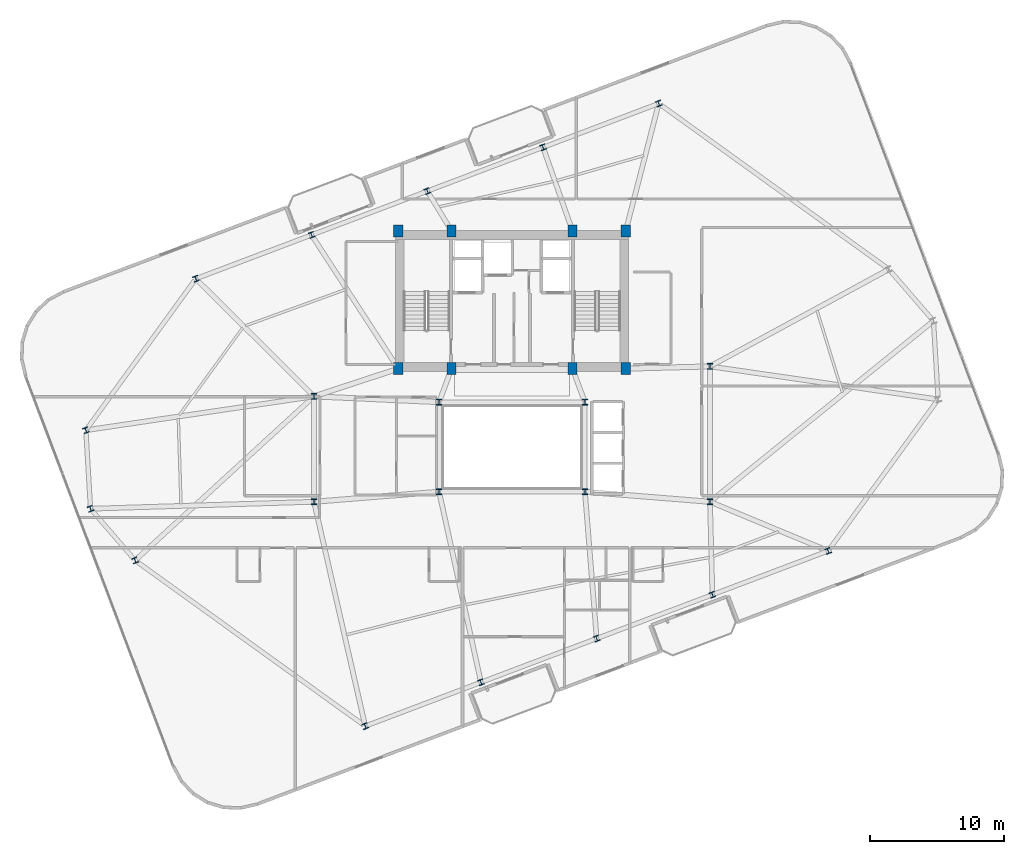
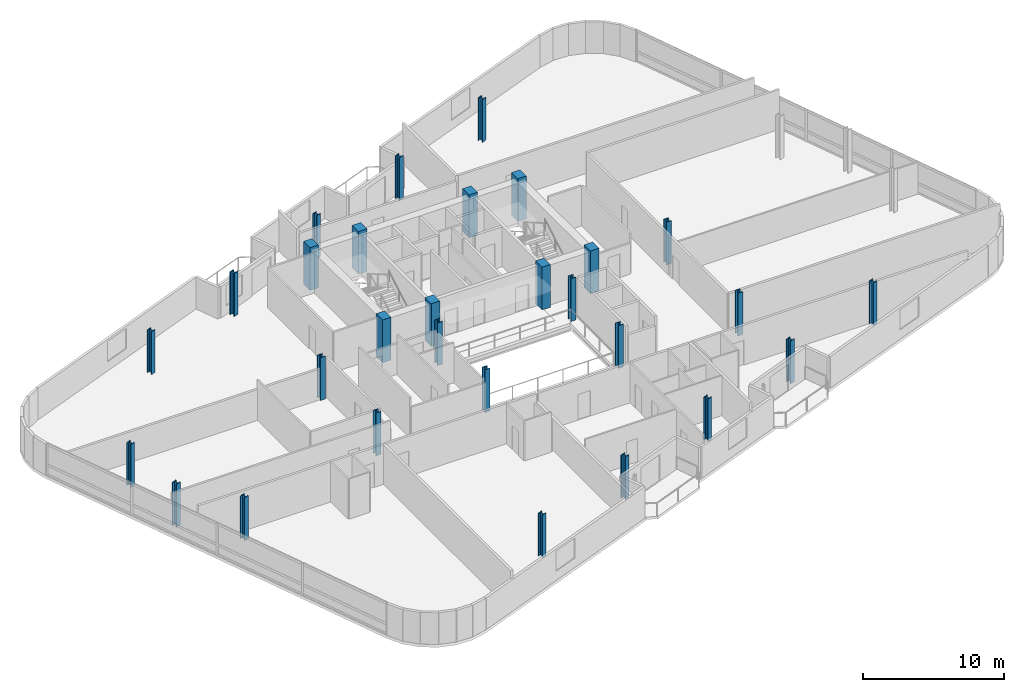
# One storey, part 1 of 19: 29 columns.
"""IFC4 building model written with IfcOpenShell, lengths in metres."""

from ifc_helpers import new_model, si_unit, direction, frame, origin, origin_2d, place, context, subcontext, project, spatial, rectangle, i_section, extrude, material, material_profile, profile_set, type_object, element, save


model = new_model("IFC4")

# Units and contexts
model_context = context("Model", 3, precision=1e-05, world=origin(), true_north=direction((0.0, 1.0)))
body_context = subcontext(model_context, "Body", "Model", "MODEL_VIEW")
ifc_project = project(units=[si_unit("LENGTHUNIT", "METRE"), si_unit("AREAUNIT", "SQUARE_METRE"), si_unit("VOLUMEUNIT", "CUBIC_METRE"), si_unit("PLANEANGLEUNIT", "RADIAN"), si_unit("MASSUNIT", "GRAM", prefix="KILO")], contexts=[model_context])

# Site, building, storey
site_placement = place(None, origin())
site = spatial("IfcSite", under=ifc_project, at=site_placement, CompositionType="ELEMENT")
building_placement = place(site_placement, origin())
building = spatial("IfcBuilding", under=site, at=building_placement, Name="Varnelok Gate Tower", CompositionType="ELEMENT")
storey_placement = place(building_placement, frame((0.0, 0.0, 231.199951171875)))
storey = spatial("IfcBuildingStorey", under=building, at=storey_placement, Name="L59", CompositionType="ELEMENT", Elevation=231.199951171875)

# Columns
ifc_material_1 = material(Name="Concrete C60/75", Category="concrete")
ifc_material_profile_1 = material_profile(ifc_material_1, rectangle(XDim=0.699951171875, YDim=0.89990234375, at=origin_2d()), Name="RC900X700")
ifc_profile_set_1 = profile_set([ifc_material_profile_1], Name="Concrete C60/75")
column_type_1 = type_object("IfcColumnType", Name="COL-RC900X700", PredefinedType="COLUMN", material=ifc_profile_set_1)
for number, where, z_axis, x_axis, name in (
    (1, (30.699951171875, 28.75, 0.0), (0.0, 0.0, 1.0), (1.0, 0.0, 0.0), "L59 Core Spine Column SC1"),
    (2, (34.679931640625, 28.75, 0.0), (0.0, 0.0, 1.0), (1.0, 0.0, 0.0), "L59 Core Spine Column SC2"),
    (3, (43.719970703125, 28.75, 0.0), (0.0, 0.0, 1.0), (1.0, 0.0, 0.0), "L59 Core Spine Column SC3"),
    (4, (47.699951171875, 28.75, 0.0), (0.0, 0.0, 1.0), (1.0, 0.0, 0.0), "L59 Core Spine Column SC4"),
    (5, (30.699951171875, 39.050048828125, 0.0), (0.0, 0.0, 1.0), (1.0, 0.0, 0.0), "L59 Core Spine Column SC5"),
    (6, (34.679931640625, 39.050048828125, 0.0), (0.0, 0.0, 1.0), (1.0, 0.0, 0.0), "L59 Core Spine Column SC6"),
    (7, (43.719970703125, 39.050048828125, 0.0), (0.0, 0.0, 1.0), (1.0, 0.0, 0.0), "L59 Core Spine Column SC7"),
    (8, (47.699951171875, 39.050048828125, 0.0), (0.0, 0.0, 1.0), (1.0, 0.0, 0.0), "L59 Core Spine Column SC8"),
):
    element("IfcColumn", number, at=place(storey_placement, frame(where, z_axis=z_axis, x_axis=x_axis)), inside=storey, type_object=column_type_1, Name=name, PredefinedType="COLUMN", context=body_context, shape_type="SweptSolid", body=[
        extrude(rectangle(XDim=0.699951171875, YDim=0.89990234375, at=origin_2d()), origin(), (0.0, 0.0, 1.0), 3.699951171875),
    ])
ifc_material_2 = material(Name="Structural Steel ASTM A992 Grade 50", Category="steel")
ifc_material_profile_2 = material_profile(ifc_material_2, i_section(OverallWidth=0.406005859375, OverallDepth=0.416015625, WebThickness=0.02978515625, FlangeThickness=0.048095703125, FilletRadius=0.02490234375, at=origin_2d()), Name="W14X257")
ifc_profile_set_2 = profile_set([ifc_material_profile_2], Name="Structural Steel ASTM A992 Grade 50")
column_type_2 = type_object("IfcColumnType", Name="COL-W14X257", PredefinedType="COLUMN", material=ifc_profile_set_2)
for number, where, z_axis, x_axis, name in (
    (9, (28.22900390625, 2.028076171875, 0.0), (0.0, 0.0, 1.0), (0.935221751401, 0.354062530786, 0.0), "L59 B5 Perimeter Column PC01"),
    (10, (36.8798828125, 5.30322265625, 0.0), (0.0, 0.0, 1.0), (0.935221751401, 0.354062530786, 0.0), "L59 B5 Perimeter Column PC02"),
    (11, (45.530517578125, 8.578125, 0.0), (0.0, 0.0, 1.0), (0.935221751401, 0.354062530786, 0.0), "L59 B5 Perimeter Column PC03"),
    (12, (54.181396484375, 11.853271484375, 0.0), (0.0, 0.0, 1.0), (0.935221751401, 0.354062530786, 0.0), "L59 B5 Perimeter Column PC04"),
    (13, (62.832275390625, 15.12841796875, 0.0), (0.0, 0.0, 1.0), (0.935221751401, 0.354062530786, 0.0), "L59 B5 Perimeter Column PC05"),
    (14, (50.1708984375, 48.572021484375, 0.0), (0.0, 0.0, 1.0), (0.935221751401, 0.354062530786, 0.0), "L59 B5 Perimeter Column PC09"),
    (15, (41.520263671875, 45.296875, 0.0), (0.0, 0.0, 1.0), (0.935221751401, 0.354062530786, 0.0), "L59 B5 Perimeter Column PC10"),
    (16, (32.869384765625, 42.021728515625, 0.0), (0.0, 0.0, 1.0), (0.935221751401, 0.354062530786, 0.0), "L59 B5 Perimeter Column PC11"),
    (17, (24.218505859375, 38.74658203125, 0.0), (0.0, 0.0, 1.0), (0.935221751401, 0.354062530786, 0.0), "L59 B5 Perimeter Column PC12"),
    (18, (15.56787109375, 35.4716796875, 0.0), (0.0, 0.0, 1.0), (0.935221751401, 0.354062530786, 0.0), "L59 B5 Perimeter Column PC13"),
    (19, (7.344970703125, 24.146484375, 0.0), (0.0, 0.0, 1.0), (0.935221751401, 0.354062530786, 0.0), "L59 B5 Perimeter Column PC14"),
    (20, (7.694580078125, 18.280517578125, 0.0), (0.0, 0.0, 1.0), (0.935221751401, 0.354062530786, 0.0), "L59 B5 Perimeter Column PC15"),
    (21, (11.027099609375, 14.42041015625, 0.0), (0.0, 0.0, 1.0), (0.935221751401, 0.354062530786, 0.0), "L59 B5 Perimeter Column PC16"),
):
    element("IfcColumn", number, at=place(storey_placement, frame(where, z_axis=z_axis, x_axis=x_axis)), inside=storey, type_object=column_type_2, Name=name, PredefinedType="COLUMN", context=body_context, shape_type="SweptSolid", body=[
        extrude(i_section(OverallWidth=0.406005859375, OverallDepth=0.416015625, WebThickness=0.02978515625, FlangeThickness=0.048095703125, FilletRadius=0.02490234375, at=origin_2d()), origin(), (0.0, 0.0, 1.0), 3.699951171875),
    ])
ifc_material_profile_3 = material_profile(ifc_material_2, i_section(OverallWidth=0.412109375, OverallDepth=0.43505859375, WebThickness=0.035888671875, FlangeThickness=0.057373046875, FilletRadius=0.02490234375, at=origin_2d()), Name="W14X311")
ifc_profile_set_3 = profile_set([ifc_material_profile_3], Name="Structural Steel ASTM A992 Grade 50")
column_type_3 = type_object("IfcColumnType", Name="COL-W14X311", PredefinedType="COLUMN", material=ifc_profile_set_3)
for number, where, z_axis, x_axis, name in (
    (22, (33.75, 19.550048828125, 0.0), (0.0, 0.0, 1.0), (1.0, 0.0, 0.0), "L59 Atrium Spine Column AC1"),
    (23, (44.64990234375, 19.550048828125, 0.0), (0.0, 0.0, 1.0), (1.0, 0.0, 0.0), "L59 Atrium Spine Column AC2"),
    (24, (33.75, 26.25, 0.0), (0.0, 0.0, 1.0), (1.0, 0.0, 0.0), "L59 Atrium Spine Column AC3"),
    (25, (44.64990234375, 26.25, 0.0), (0.0, 0.0, 1.0), (1.0, 0.0, 0.0), "L59 Atrium Spine Column AC4"),
    (26, (24.39990234375, 18.800048828125, 0.0), (0.0, 0.0, 1.0), (1.0, 0.0, 0.0), "L59 Wing Spine Column WS1"),
    (27, (24.39990234375, 26.679931640625, 0.0), (0.0, 0.0, 1.0), (1.0, 0.0, 0.0), "L59 Wing Spine Column WS2"),
    (28, (54.0, 18.800048828125, 0.0), (0.0, 0.0, 1.0), (1.0, 0.0, 0.0), "L59 Wing Spine Column ES1"),
    (29, (54.0, 28.919921875, 0.0), (0.0, 0.0, 1.0), (1.0, 0.0, 0.0), "L59 Wing Spine Column ES2"),
):
    element("IfcColumn", number, at=place(storey_placement, frame(where, z_axis=z_axis, x_axis=x_axis)), inside=storey, type_object=column_type_3, Name=name, PredefinedType="COLUMN", context=body_context, shape_type="SweptSolid", body=[
        extrude(i_section(OverallWidth=0.412109375, OverallDepth=0.43505859375, WebThickness=0.035888671875, FlangeThickness=0.057373046875, FilletRadius=0.02490234375, at=origin_2d()), origin(), (0.0, 0.0, 1.0), 3.699951171875),
    ])

save(model, "model.ifc")
